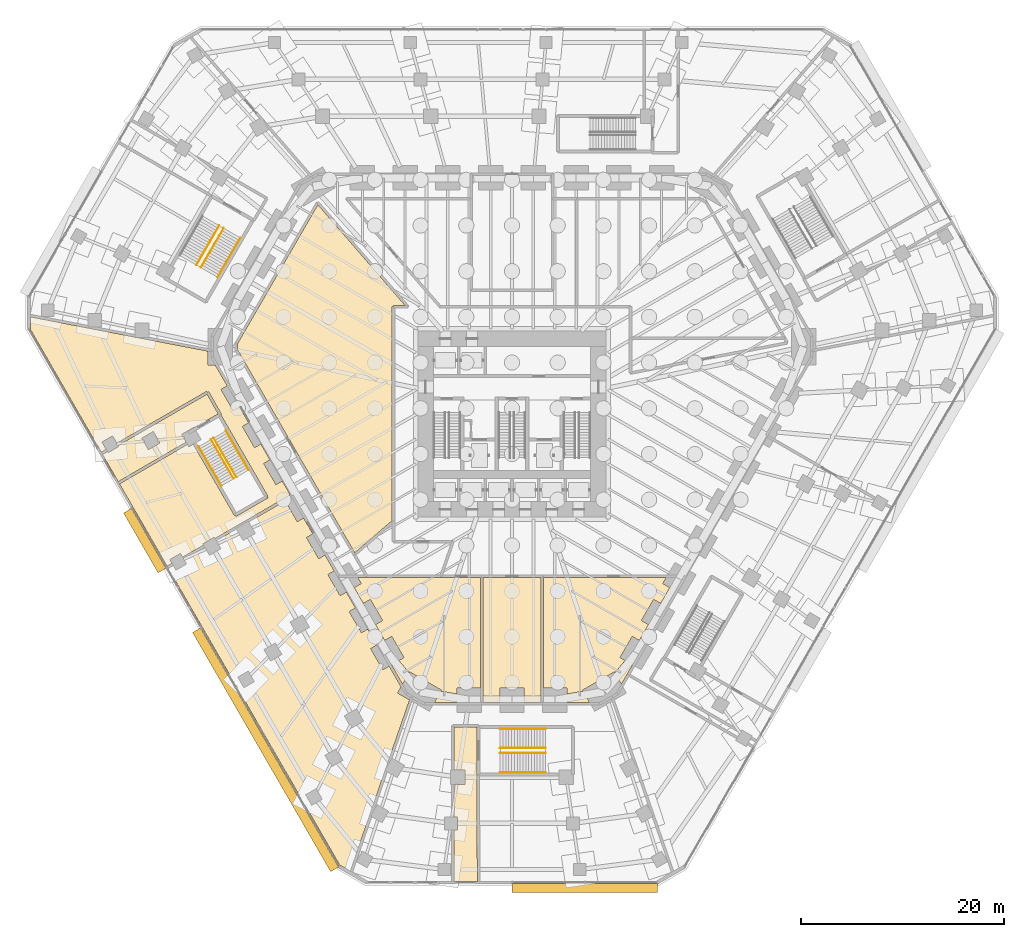
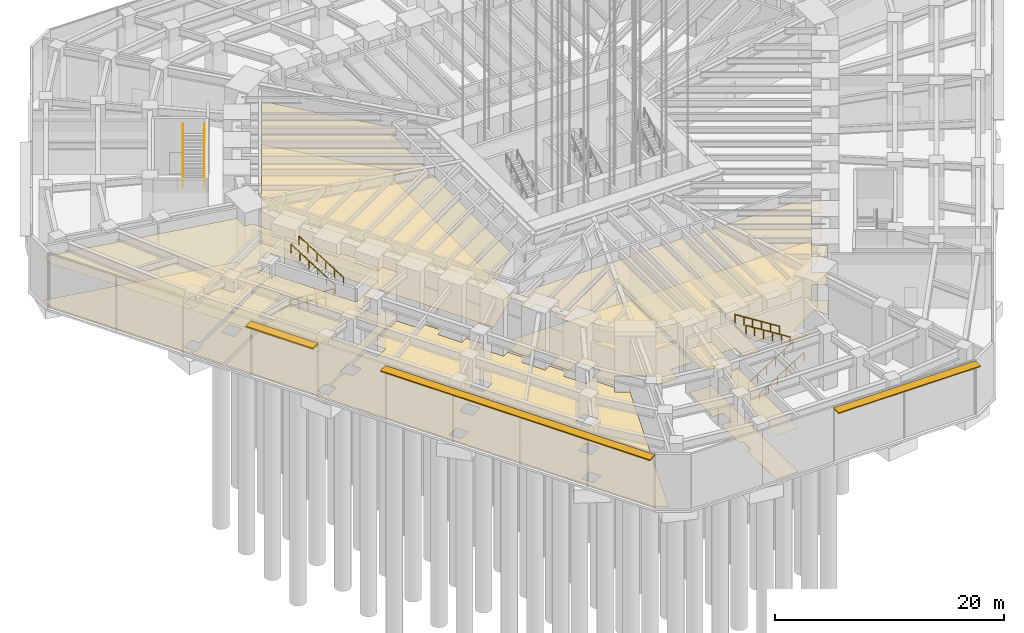
# One storey, part 25 of 34: 15 coverings, 11 railings, 3 shading devices.
"""IFC4 building model written with IfcOpenShell, lengths in metres."""

from ifc_helpers import new_model, si_unit, direction, frame, origin, origin_2d, place, context, subcontext, project, spatial, polyline, rectangle, circle, outline, extrude, material, layer, layer_set, type_object, element, save


model = new_model("IFC4")

# Units and contexts
model_context = context("Model", 3, precision=1e-05, world=origin(), true_north=direction((0.0, 1.0)))
body_context = subcontext(model_context, "Body", "Model", "MODEL_VIEW")
ifc_project = project(units=[si_unit("LENGTHUNIT", "METRE"), si_unit("AREAUNIT", "SQUARE_METRE"), si_unit("VOLUMEUNIT", "CUBIC_METRE"), si_unit("PLANEANGLEUNIT", "RADIAN"), si_unit("MASSUNIT", "GRAM", prefix="KILO")], contexts=[model_context])

# Site, building, storey
site_placement = place(None, origin())
site = spatial("IfcSite", under=ifc_project, at=site_placement, CompositionType="ELEMENT")
building_placement = place(site_placement, origin())
building = spatial("IfcBuilding", under=site, at=building_placement, Name="Sandreach Pilgrim Tower", CompositionType="ELEMENT")
storey_placement = place(building_placement, origin())
storey = spatial("IfcBuildingStorey", under=building, at=storey_placement, Name="L00", CompositionType="ELEMENT", Elevation=0.0)

# Coverings
ifc_material_1 = material(Name="Nylon carpet tile on the slab", Category="textile")
ifc_layer_1 = layer(ifc_material_1, 0.008056640625)
ifc_layer_set_1 = layer_set([ifc_layer_1], Name="Carpet tile")
covering_type_1 = type_object("IfcCoveringType", Name="Carpet tile", PredefinedType="FLOORING", material=ifc_layer_set_1)
covering_1_placement = place(storey_placement, origin())
element("IfcCovering", 1, at=covering_1_placement, inside=storey, type_object=covering_type_1, Name="Floor finish 00E5 Stair ST5 exit passageway", PredefinedType="FLOORING", context=body_context, shape_type="SweptSolid", body=[
    extrude(outline(polyline([(-3.4150390625, -46.591796875), (-5.705078125, -46.591796875), (-5.705078125, -41.525146484375), (-5.352783203125, -41.525146484375), (-5.352783203125, -40.225341796875), (-5.705078125, -40.225341796875), (-5.705078125, -37.028564453125), (-4.63525390625, -37.028564453125), (-4.63525390625, -35.628662109375), (-5.705078125, -35.628662109375), (-5.705078125, -31.365966796875), (-3.461181640625, -31.3837890625), (-3.461181640625, -36.060791015625), (-3.447021484375, -36.060791015625), (-3.4150390625, -46.591796875)])), origin(), (0.0, 0.0, 1.0), 0.008056640625),
])
covering_2_placement = place(storey_placement, origin())
element("IfcCovering", 2, at=covering_2_placement, inside=storey, type_object=covering_type_1, Name="Floor finish 00E9 Stair ST9 exit passageway", PredefinedType="FLOORING", context=body_context, shape_type="SweptSolid", body=[
    extrude(outline(polyline([(-39.7744140625, -4.35986328125), (-38.735107421875, -3.759765625), (-38.7939453125, -3.65771484375), (-30.026611328125, 1.398681640625), (-28.920654296875, -0.554931640625), (-31.301513671875, -1.885986328125), (-31.311279296875, -1.869140625), (-32.523681640625, -2.569091796875), (-32.083251953125, -3.33203125), (-38.779296875, -7.223388671875), (-40.327392578125, -4.5419921875), (-39.83349609375, -4.25732421875), (-39.7744140625, -4.35986328125)]), holes=[polyline([(-35.799072265625, -4.07080078125), (-34.673095703125, -3.420654296875), (-35.3232421875, -2.294921875), (-36.448974609375, -2.94482421875), (-35.799072265625, -4.07080078125)])]), origin(), (0.0, 0.0, 1.0), 0.008056640625),
])
covering_3_placement = place(storey_placement, origin())
element("IfcCovering", 3, at=covering_3_placement, inside=storey, type_object=covering_type_1, Name="Floor finish 00B2 Group assembly hall", PredefinedType="FLOORING", context=body_context, shape_type="SweptSolid", body=[
    extrude(outline(polyline([(-11.794921875, -11.052734375), (-15.4814453125, -14.240234375), (-27.014892578125, 5.743408203125), (-27.014892578125, 6.386474609375), (-19.11962890625, 20.055419921875), (-10.53369140625, 10.14501953125), (-11.669921875, 10.14501953125), (-11.669921875, 10.02001953125), (-11.794921875, 10.02001953125), (-11.794921875, -11.052734375)])), origin(), (0.0, 0.0, 1.0), 0.008056640625),
])
covering_4_placement = place(storey_placement, origin())
element("IfcCovering", 4, at=covering_4_placement, inside=storey, type_object=covering_type_1, Name="Floor finish 00N2 Coach departures lounge", PredefinedType="FLOORING", context=body_context, shape_type="SweptSolid", body=[
    extrude(outline(polyline([(-47.43359375, 7.78662109375), (-47.43359375, 9.0048828125), (-37.143310546875, 7.01953125), (-37.143310546875, 6.994384765625), (-37.0126953125, 6.994384765625), (-29.91259765625, 5.62451171875), (-29.91259765625, 4.26220703125), (-29.223388671875, 4.26220703125), (-28.038818359375, 2.211669921875), (-28.655517578125, 1.85546875), (-27.45556640625, -0.222900390625), (-26.838134765625, 0.133544921875), (-25.932861328125, -1.43359375), (-26.550537109375, -1.790283203125), (-25.3505859375, -3.868896484375), (-24.732177734375, -3.511962890625), (-23.826904296875, -5.0791015625), (-24.445556640625, -5.436279296875), (-23.24560546875, -7.5146484375), (-22.62646484375, -7.1572265625), (-21.830810546875, -8.5341796875), (-29.248046875, -12.8173828125), (-29.3134765625, -12.703857421875), (-30.439453125, -13.35400390625), (-30.373779296875, -13.467529296875), (-32.441162109375, -14.661376953125), (-32.650634765625, -14.298583984375), (-33.689697265625, -14.898681640625), (-33.480224609375, -15.26123046875), (-33.96533203125, -15.54150390625), (-38.654296875, -7.43994140625), (-31.958251953125, -3.548583984375), (-31.82373046875, -3.781494140625), (-31.388671875, -3.530517578125), (-27.335205078125, -10.551513671875), (-27.13037109375, -10.6064453125), (-24.09912109375, -8.8564453125), (-24.12353515625, -8.814208984375), (-24.03759765625, -8.76318359375), (-24.087158203125, -8.67626953125), (-24.044189453125, -8.6513671875), (-28.69580078125, -0.594970703125), (-28.63134765625, -0.558349609375), (-29.871337890625, 1.631591796875), (-29.97998046875, 1.570068359375), (-30.04248046875, 1.67822265625), (-38.9189453125, -3.441162109375), (-39.335205078125, -2.720703125), (-40.374267578125, -3.320556640625), (-39.95849609375, -4.040771484375), (-40.452392578125, -4.325439453125), (-47.43359375, 7.78662109375)])), origin(), (0.0, 0.0, 1.0), 0.008056640625),
])
ifc_material_2 = material(Name="Epoxy resin floor on the slab", Category="plastic")
ifc_layer_2 = layer(ifc_material_2, 0.00390625)
ifc_layer_set_2 = layer_set([ifc_layer_2], Name="Epoxy resin floor")
covering_type_2 = type_object("IfcCoveringType", Name="Epoxy resin floor", PredefinedType="FLOORING", material=ifc_layer_set_2)
covering_5_placement = place(storey_placement, origin())
element("IfcCovering", 5, at=covering_5_placement, inside=storey, type_object=covering_type_2, Name="Floor finish 0005 Luggage store", PredefinedType="FLOORING", context=body_context, shape_type="SweptSolid", body=[
    extrude(outline(polyline([(-33.848876953125, -15.762939453125), (-33.355224609375, -15.477783203125), (-33.08984375, -15.937744140625), (-32.050537109375, -15.337890625), (-32.316162109375, -14.877685546875), (-30.248779296875, -13.68408203125), (-29.789306640625, -14.479736328125), (-28.66357421875, -13.829833984375), (-29.123046875, -13.033935546875), (-27.142333984375, -11.89013671875), (-26.489013671875, -13.021728515625), (-25.2763671875, -12.321533203125), (-25.929931640625, -11.18994140625), (-22.325439453125, -9.108642578125), (-21.140625, -11.16064453125), (-20.519775390625, -10.80224609375), (-19.614013671875, -12.369140625), (-20.23583984375, -12.72802734375), (-19.03564453125, -14.806640625), (-18.412841796875, -14.44677734375), (-17.507080078125, -16.013916015625), (-18.130859375, -16.3740234375), (-16.930908203125, -18.452392578125), (-16.313232421875, -18.095947265625), (-15.407470703125, -19.662841796875), (-16.02587890625, -20.019775390625), (-14.825927734375, -22.098388671875), (-14.206298828125, -21.74072265625), (-13.300537109375, -23.3076171875), (-13.9208984375, -23.665771484375), (-12.720947265625, -25.744140625), (-12.099365234375, -25.385498046875), (-10.916259765625, -27.431884765625), (-11.26513671875, -28.0361328125), (-10.085205078125, -28.71728515625), (-12.456787109375, -35.564697265625), (-12.514404296875, -35.664306640625), (-12.4951171875, -35.67529296875), (-15.9248046875, -45.577392578125), (-16.973388671875, -44.97216796875), (-33.848876953125, -15.762939453125)]), holes=[polyline([(-15.8193359375, -31.501708984375), (-14.60693359375, -30.8017578125), (-15.306884765625, -29.58935546875), (-16.519287109375, -30.289306640625), (-15.8193359375, -31.501708984375)]), polyline([(-17.77001953125, -35.2978515625), (-16.64404296875, -34.64794921875), (-17.294189453125, -33.52197265625), (-18.419921875, -34.172119140625), (-17.77001953125, -35.2978515625)]), polyline([(-20.320556640625, -38.0546875), (-19.720703125, -39.093994140625), (-18.681396484375, -38.493896484375), (-19.281494140625, -37.45458984375), (-20.320556640625, -38.0546875)]), polyline([(-21.854248046875, -21.04931640625), (-21.154052734375, -22.26171875), (-19.941650390625, -21.561767578125), (-20.6416015625, -20.349365234375), (-21.854248046875, -21.04931640625)]), polyline([(-23.77978515625, -24.888916015625), (-22.65380859375, -24.23876953125), (-23.3037109375, -23.113037109375), (-24.4296875, -23.762939453125), (-23.77978515625, -24.888916015625)]), polyline([(-26.4052734375, -27.515869140625), (-25.365966796875, -26.915771484375), (-25.966064453125, -25.876708984375), (-27.005126953125, -26.4765625), (-26.4052734375, -27.515869140625)])]), origin(), (0.0, 0.0, 1.0), 0.00390625),
])
ifc_material_3 = material(Name="Gypsum board suspended ceiling on a steel grid", Category="steel")
ifc_layer_3 = layer(ifc_material_3, 0.012939453125)
ifc_layer_set_3 = layer_set([ifc_layer_3], Name="Gypsum board suspended ceiling")
covering_type_3 = type_object("IfcCoveringType", Name="Gypsum board suspended ceiling", PredefinedType="CEILING", material=ifc_layer_set_3)
covering_6_placement = place(storey_placement, frame((0.0, 0.0, 4.64990234375)))
element("IfcCovering", 6, at=covering_6_placement, inside=storey, type_object=covering_type_3, Name="Ceiling 00E5 Stair ST5 exit passageway", PredefinedType="CEILING", context=body_context, shape_type="SweptSolid", body=[
    extrude(outline(polyline([(-3.4150390625, -46.591796875), (-5.705078125, -46.591796875), (-5.705078125, -41.525146484375), (-5.352783203125, -41.525146484375), (-5.352783203125, -40.225341796875), (-5.705078125, -40.225341796875), (-5.705078125, -37.028564453125), (-4.63525390625, -37.028564453125), (-4.63525390625, -35.628662109375), (-5.705078125, -35.628662109375), (-5.705078125, -31.365966796875), (-3.461181640625, -31.3837890625), (-3.461181640625, -36.060791015625), (-3.447021484375, -36.060791015625), (-3.4150390625, -46.591796875)])), origin(), (0.0, 0.0, 1.0), 0.01318359375),
])
covering_7_placement = place(storey_placement, frame((0.0, 0.0, 4.64990234375)))
element("IfcCovering", 7, at=covering_7_placement, inside=storey, type_object=covering_type_3, Name="Ceiling 00E9 Stair ST9 exit passageway", PredefinedType="CEILING", context=body_context, shape_type="SweptSolid", body=[
    extrude(outline(polyline([(-39.7744140625, -4.35986328125), (-38.735107421875, -3.759765625), (-38.7939453125, -3.65771484375), (-30.026611328125, 1.398681640625), (-28.920654296875, -0.554931640625), (-31.301513671875, -1.885986328125), (-31.311279296875, -1.869140625), (-32.523681640625, -2.569091796875), (-32.083251953125, -3.33203125), (-38.779296875, -7.223388671875), (-40.327392578125, -4.5419921875), (-39.83349609375, -4.25732421875), (-39.7744140625, -4.35986328125)]), holes=[polyline([(-36.448974609375, -2.94482421875), (-35.799072265625, -4.07080078125), (-34.673095703125, -3.420654296875), (-35.3232421875, -2.294921875), (-36.448974609375, -2.94482421875)])]), origin(), (0.0, 0.0, 1.0), 0.01318359375),
])
covering_8_placement = place(storey_placement, frame((0.0, 0.0, 4.60009765625)))
element("IfcCovering", 8, at=covering_8_placement, inside=storey, type_object=covering_type_3, Name="Ceiling 00B2 Group assembly hall", PredefinedType="CEILING", context=body_context, shape_type="SweptSolid", body=[
    extrude(outline(polyline([(-11.794921875, -11.052734375), (-15.4814453125, -14.240234375), (-27.014892578125, 5.743408203125), (-27.014892578125, 6.386474609375), (-19.11962890625, 20.055419921875), (-10.53369140625, 10.14501953125), (-11.669921875, 10.14501953125), (-11.669921875, 10.02001953125), (-11.794921875, 10.02001953125), (-11.794921875, -11.052734375)])), origin(), (0.0, 0.0, 1.0), 0.012939453125),
])
covering_9_placement = place(storey_placement, frame((0.0, 0.0, 4.64990234375)))
element("IfcCovering", 9, at=covering_9_placement, inside=storey, type_object=covering_type_3, Name="Ceiling 00N2 Coach departures lounge", PredefinedType="CEILING", context=body_context, shape_type="SweptSolid", body=[
    extrude(outline(polyline([(-47.43359375, 7.78662109375), (-47.43359375, 9.0048828125), (-37.143310546875, 7.01953125), (-37.143310546875, 6.994384765625), (-37.0126953125, 6.994384765625), (-29.91259765625, 5.62451171875), (-29.91259765625, 4.26220703125), (-29.223388671875, 4.26220703125), (-28.038818359375, 2.211669921875), (-28.655517578125, 1.85546875), (-27.45556640625, -0.222900390625), (-26.838134765625, 0.133544921875), (-25.932861328125, -1.43359375), (-26.550537109375, -1.790283203125), (-25.3505859375, -3.868896484375), (-24.732177734375, -3.511962890625), (-23.826904296875, -5.0791015625), (-24.445556640625, -5.436279296875), (-23.24560546875, -7.5146484375), (-22.62646484375, -7.1572265625), (-21.830810546875, -8.5341796875), (-29.248046875, -12.8173828125), (-29.3134765625, -12.703857421875), (-30.439453125, -13.35400390625), (-30.373779296875, -13.467529296875), (-32.441162109375, -14.661376953125), (-32.650634765625, -14.298583984375), (-33.689697265625, -14.898681640625), (-33.480224609375, -15.26123046875), (-33.96533203125, -15.54150390625), (-38.654296875, -7.43994140625), (-31.958251953125, -3.548583984375), (-31.82373046875, -3.781494140625), (-31.388671875, -3.530517578125), (-27.335205078125, -10.551513671875), (-27.13037109375, -10.6064453125), (-24.09912109375, -8.8564453125), (-24.12353515625, -8.814208984375), (-24.03759765625, -8.76318359375), (-24.087158203125, -8.67626953125), (-24.044189453125, -8.6513671875), (-28.69580078125, -0.594970703125), (-28.63134765625, -0.558349609375), (-29.871337890625, 1.631591796875), (-29.97998046875, 1.570068359375), (-30.04248046875, 1.67822265625), (-38.9189453125, -3.441162109375), (-39.335205078125, -2.720703125), (-40.374267578125, -3.320556640625), (-39.95849609375, -4.040771484375), (-40.452392578125, -4.325439453125), (-47.43359375, 7.78662109375)])), origin(), (0.0, 0.0, 1.0), 0.01318359375),
])
ifc_material_4 = material(Name="Moisture-resistant gypsum board suspended ceiling on a steel grid", Category="steel")
ifc_layer_4 = layer(ifc_material_4, 0.01611328125)
ifc_layer_set_4 = layer_set([ifc_layer_4], Name="Moisture-resistant gypsum board ceiling")
covering_type_4 = type_object("IfcCoveringType", Name="Moisture-resistant gypsum board ceiling", PredefinedType="CEILING", material=ifc_layer_set_4)
covering_10_placement = place(storey_placement, frame((0.0, 0.0, 4.699951171875)))
element("IfcCovering", 10, at=covering_10_placement, inside=storey, type_object=covering_type_4, Name="Ceiling 00T1 Women's toilets 00", PredefinedType="CEILING", context=body_context, shape_type="SweptSolid", body=[
    extrude(outline(polyline([(-15.203125, -16.64501953125), (-3.125, -16.64501953125), (-3.125, -27.55078125), (-5.42236328125, -27.55078125), (-5.42236328125, -28.135009765625), (-7.00537109375, -27.858154296875), (-6.947509765625, -27.7578125), (-10.065185546875, -25.957763671875), (-10.12353515625, -26.05908203125), (-11.147705078125, -24.8359375), (-10.642333984375, -24.544189453125), (-11.842529296875, -22.4658203125), (-12.53515625, -22.86572265625), (-13.440185546875, -21.29833984375), (-12.747314453125, -20.8984375), (-13.947265625, -18.81982421875), (-14.64013671875, -19.219970703125), (-15.545166015625, -17.65234375), (-14.852294921875, -17.25244140625), (-15.203125, -16.64501953125)])), origin(), (0.0, 0.0, 1.0), 0.01611328125),
])
covering_11_placement = place(storey_placement, frame((0.0, 0.0, 4.800048828125)))
element("IfcCovering", 11, at=covering_11_placement, inside=storey, type_object=covering_type_4, Name="Ceiling 00T2 Accessible toilets 00", PredefinedType="CEILING", context=body_context, shape_type="SweptSolid", body=[
    extrude(outline(polyline([(2.875, -28.350830078125), (1.199951171875, -28.350830078125), (1.199951171875, -27.55078125), (-1.199951171875, -27.55078125), (-1.199951171875, -28.350830078125), (-2.875, -28.350830078125), (-2.875, -16.64501953125), (2.875, -16.64501953125), (2.875, -28.350830078125)])), origin(), (0.0, 0.0, 1.0), 0.015869140625),
])
covering_12_placement = place(storey_placement, frame((0.0, 0.0, 4.699951171875)))
element("IfcCovering", 12, at=covering_12_placement, inside=storey, type_object=covering_type_4, Name="Ceiling 00T3 Men's toilets 00", PredefinedType="CEILING", context=body_context, shape_type="SweptSolid", body=[
    extrude(outline(polyline([(3.125, -16.64501953125), (15.203125, -16.64501953125), (14.852294921875, -17.25244140625), (15.545166015625, -17.65234375), (14.64013671875, -19.219970703125), (13.947265625, -18.81982421875), (12.747314453125, -20.8984375), (13.440185546875, -21.29833984375), (12.53515625, -22.86572265625), (11.842529296875, -22.4658203125), (10.642333984375, -24.544189453125), (11.147705078125, -24.8359375), (10.12353515625, -26.05908203125), (10.065185546875, -25.957763671875), (6.947509765625, -27.7578125), (7.00537109375, -27.858154296875), (5.42236328125, -28.135009765625), (5.42236328125, -27.55078125), (3.125, -27.55078125), (3.125, -16.64501953125)])), origin(), (0.0, 0.0, 1.0), 0.01611328125),
])

# Shading devices
ifc_material_5 = material(Name="Extruded aluminium sunshade blade, powder coated", Category="aluminium")
ifc_layer_5 = layer(ifc_material_5, 0.10009765625)
ifc_layer_set_5 = layer_set([ifc_layer_5], Name="Podium sunshade 900")
shading_device_type = type_object("IfcShadingDeviceType", Name="Podium sunshade 900", PredefinedType="AWNING", material=ifc_layer_set_5)
shading_device_1_placement = place(storey_placement, frame((7.156005859375, -47.23193359375, 5.64990234375), z_axis=(0.0, 0.0, 1.0), x_axis=(-1.0, 0.0, 0.0)))
element("IfcShadingDevice", 13, at=shading_device_1_placement, inside=storey, type_object=shading_device_type, Name="Sunshade L00 S over SA", PredefinedType="AWNING", context=body_context, shape_type="SweptSolid", body=[
    extrude(rectangle(XDim=14.31201171875, YDim=0.89990234375, at=origin_2d()), origin(), (0.0, 0.0, 1.0), 0.10009765625),
])
shading_device_2_placement = place(storey_placement, frame((-24.27001953125, -33.634033203125, 5.64990234375), z_axis=(0.0, 0.0, 1.0), x_axis=(-0.500000000015, 0.866025403776, 0.0)))
element("IfcShadingDevice", 14, at=shading_device_2_placement, inside=storey, type_object=shading_device_type, Name="Sunshade L00 SW over SWA", PredefinedType="AWNING", context=body_context, shape_type="SweptSolid", body=[
    extrude(rectangle(XDim=27.1884765625, YDim=0.89990234375, at=origin_2d()), origin(), (0.0, 0.0, 1.0), 0.10009765625),
])
shading_device_3_placement = place(storey_placement, frame((-36.1650390625, -13.03125, 5.64990234375), z_axis=(0.0, 0.0, 1.0), x_axis=(-0.5, 0.866025403784, 0.0)))
element("IfcShadingDevice", 15, at=shading_device_3_placement, inside=storey, type_object=shading_device_type, Name="Sunshade L00 SW over SWB", PredefinedType="AWNING", context=body_context, shape_type="SweptSolid", body=[
    extrude(rectangle(XDim=6.797119140625, YDim=0.89990234375, at=origin_2d()), origin(), (0.0, 0.0, 1.0), 0.10009765625),
])

# Coverings
ifc_material_6 = material(Name="Porcelain tile on an adhesive bed", Category="ceramic")
ifc_layer_6 = layer(ifc_material_6, 0.011962890625)
ifc_layer_set_6 = layer_set([ifc_layer_6], Name="Porcelain tile")
covering_type_5 = type_object("IfcCoveringType", Name="Porcelain tile", PredefinedType="FLOORING", material=ifc_layer_set_6)
covering_13_placement = place(storey_placement, origin())
element("IfcCovering", 16, at=covering_13_placement, inside=storey, type_object=covering_type_5, Name="Floor finish 00T1 Women's toilets 00", PredefinedType="FLOORING", context=body_context, shape_type="SweptSolid", body=[
    extrude(outline(polyline([(-15.203125, -16.64501953125), (-3.125, -16.64501953125), (-3.125, -27.55078125), (-5.42236328125, -27.55078125), (-5.42236328125, -28.985107421875), (-7.656005859375, -28.985107421875), (-6.947509765625, -27.7578125), (-10.065185546875, -25.957763671875), (-10.77197265625, -27.18212890625), (-11.8828125, -25.260498046875), (-10.642333984375, -24.544189453125), (-11.842529296875, -22.4658203125), (-13.083984375, -23.1826171875), (-13.989990234375, -21.61572265625), (-12.747314453125, -20.8984375), (-13.947265625, -18.81982421875), (-15.19091796875, -19.537841796875), (-16.096923828125, -17.970947265625), (-14.852294921875, -17.25244140625), (-15.203125, -16.64501953125)])), origin(), (0.0, 0.0, 1.0), 0.011962890625),
])
covering_14_placement = place(storey_placement, origin())
element("IfcCovering", 17, at=covering_14_placement, inside=storey, type_object=covering_type_5, Name="Floor finish 00T2 Accessible toilets 00", PredefinedType="FLOORING", context=body_context, shape_type="SweptSolid", body=[
    extrude(outline(polyline([(2.875, -28.985107421875), (1.199951171875, -28.985107421875), (1.199951171875, -27.55078125), (-1.199951171875, -27.55078125), (-1.199951171875, -28.985107421875), (-2.875, -28.985107421875), (-2.875, -16.64501953125), (2.875, -16.64501953125), (2.875, -28.985107421875)])), origin(), (0.0, 0.0, 1.0), 0.011962890625),
])
covering_15_placement = place(storey_placement, origin())
element("IfcCovering", 18, at=covering_15_placement, inside=storey, type_object=covering_type_5, Name="Floor finish 00T3 Men's toilets 00", PredefinedType="FLOORING", context=body_context, shape_type="SweptSolid", body=[
    extrude(outline(polyline([(3.125, -16.64501953125), (15.203125, -16.64501953125), (14.852294921875, -17.25244140625), (16.0966796875, -17.970947265625), (15.190673828125, -19.537841796875), (13.947265625, -18.81982421875), (12.747314453125, -20.8984375), (13.989501953125, -21.615478515625), (13.08349609375, -23.182373046875), (11.842529296875, -22.4658203125), (10.642333984375, -24.544189453125), (11.88232421875, -25.260009765625), (10.771728515625, -27.181640625), (10.065185546875, -25.957763671875), (6.947509765625, -27.7578125), (7.656005859375, -28.985107421875), (5.42236328125, -28.985107421875), (5.42236328125, -27.55078125), (3.125, -27.55078125), (3.125, -16.64501953125)])), origin(), (0.0, 0.0, 1.0), 0.011962890625),
])

# Railings
ifc_material_7 = material(Name="Stainless steel tube", Category="steel")
railing_type = type_object("IfcRailingType", Name="Stair handrail", PredefinedType="HANDRAIL", material=ifc_material_7)
for number, where, name in (
    (19, (-1.1611328125, -33.9609375, 0.176513671875), "Handrail ST5 L00 flight 1"),
    (20, (-1.1611328125, -35.86083984375, 0.176513671875), "Handrail ST5 L00 flight 1"),
):
    element("IfcRailing", number, at=place(storey_placement, frame(where)), inside=storey, type_object=railing_type, Name=name, PredefinedType="HANDRAIL", context=body_context, shape_type="SweptSolid", body=[
        extrude(circle(Radius=0.02392578125, at=origin_2d()), frame((0.0, 0.0, 0.8759765625), z_axis=(0.845997938375, 0.0, 0.533186166611), x_axis=(0.0, 1.0, 0.0)), (0.0, 0.0, 1.0), 5.29541015625),
        extrude(circle(Radius=0.02099609375, at=origin_2d()), origin(), (0.0, 0.0, 1.0), 0.851806640625),
        extrude(circle(Radius=0.02099609375, at=origin_2d()), frame((0.89599609375, 0.0, 0.564697265625)), (0.0, 0.0, 1.0), 0.851806640625),
        extrude(circle(Radius=0.02099609375, at=origin_2d()), frame((1.7919921875, 0.0, 1.12939453125)), (0.0, 0.0, 1.0), 0.851806640625),
        extrude(circle(Radius=0.02099609375, at=origin_2d()), frame((2.68798828125, 0.0, 1.694091796875)), (0.0, 0.0, 1.0), 0.851806640625),
        extrude(circle(Radius=0.02099609375, at=origin_2d()), frame((3.583984375, 0.0, 2.2587890625)), (0.0, 0.0, 1.0), 0.851806640625),
        extrude(circle(Radius=0.02099609375, at=origin_2d()), frame((4.47998046875, 0.0, 2.823486328125)), (0.0, 0.0, 1.0), 0.851806640625),
    ])
for number, where, name in (
    (21, (3.31884765625, -33.4609375, 3.176513671875), "Handrail ST5 L00 flight 2"),
    (22, (3.31884765625, -31.560791015625, 3.176513671875), "Handrail ST5 L00 flight 2"),
):
    element("IfcRailing", number, at=place(storey_placement, frame(where)), inside=storey, type_object=railing_type, Name=name, PredefinedType="HANDRAIL", context=body_context, shape_type="SweptSolid", body=[
        extrude(circle(Radius=0.02392578125, at=origin_2d()), frame((0.0, 0.0, 0.8759765625), z_axis=(-0.845997938375, 0.0, 0.533186166611), x_axis=(0.0, -1.0, 0.0)), (0.0, 0.0, 1.0), 5.29541015625),
        extrude(circle(Radius=0.02099609375, at=origin_2d()), origin(), (0.0, 0.0, 1.0), 0.851806640625),
        extrude(circle(Radius=0.02099609375, at=origin_2d()), frame((-0.89599609375, 0.0, 0.564697265625)), (0.0, 0.0, 1.0), 0.851806640625),
        extrude(circle(Radius=0.02099609375, at=origin_2d()), frame((-1.7919921875, 0.0, 1.12939453125)), (0.0, 0.0, 1.0), 0.851806640625),
        extrude(circle(Radius=0.02099609375, at=origin_2d()), frame((-2.68798828125, 0.0, 1.694091796875)), (0.0, 0.0, 1.0), 0.851806640625),
        extrude(circle(Radius=0.02099609375, at=origin_2d()), frame((-3.583984375, 0.0, 2.2587890625)), (0.0, 0.0, 1.0), 0.851806640625),
        extrude(circle(Radius=0.02099609375, at=origin_2d()), frame((-4.47998046875, 0.0, 2.823486328125)), (0.0, 0.0, 1.0), 0.851806640625),
    ])
railing_1_placement = place(storey_placement, frame((-28.830322265625, 17.986083984375, 0.176513671875)))
element("IfcRailing", 23, at=railing_1_placement, inside=storey, type_object=railing_type, Name="Handrail ST6 L00 flight 1", PredefinedType="HANDRAIL", context=body_context, shape_type="SweptSolid", body=[
    extrude(circle(Radius=0.02392578125, at=origin_2d()), frame((0.0, 0.0, 0.8759765625), z_axis=(-0.42299277051, -0.732664971003, 0.533178353237), x_axis=(0.866031314237, -0.499989762656, 0.0)), (0.0, 0.0, 1.0), 5.295654296875),
    extrude(circle(Radius=0.02099609375, at=origin_2d()), origin(), (0.0, 0.0, 1.0), 0.851806640625),
    extrude(circle(Radius=0.02099609375, at=origin_2d()), frame((-0.447998046875, -0.77587890625, 0.564697265625)), (0.0, 0.0, 1.0), 0.851806640625),
    extrude(circle(Radius=0.02099609375, at=origin_2d()), frame((-0.89599609375, -1.552001953125, 1.12939453125)), (0.0, 0.0, 1.0), 0.851806640625),
    extrude(circle(Radius=0.02099609375, at=origin_2d()), frame((-1.343994140625, -2.327880859375, 1.694091796875)), (0.0, 0.0, 1.0), 0.851806640625),
    extrude(circle(Radius=0.02099609375, at=origin_2d()), frame((-1.7919921875, -3.10400390625, 2.2587890625)), (0.0, 0.0, 1.0), 0.851806640625),
    extrude(circle(Radius=0.02099609375, at=origin_2d()), frame((-2.239990234375, -3.8798828125, 2.823486328125)), (0.0, 0.0, 1.0), 0.851806640625),
])
for number, where, name in (
    (24, (-30.637451171875, 13.856201171875, 3.176513671875), "Handrail ST6 L00 flight 2"),
    (25, (-28.991943359375, 12.90625, 3.176513671875), "Handrail ST6 L00 flight 2"),
):
    element("IfcRailing", number, at=place(storey_placement, frame(where)), inside=storey, type_object=railing_type, Name=name, PredefinedType="HANDRAIL", context=body_context, shape_type="SweptSolid", body=[
        extrude(circle(Radius=0.02392578125, at=origin_2d()), frame((0.0, 0.0, 0.8759765625), z_axis=(0.42299277051, 0.732664971003, 0.533178353237), x_axis=(-0.866031314237, 0.499989762656, 0.0)), (0.0, 0.0, 1.0), 5.295654296875),
        extrude(circle(Radius=0.02099609375, at=origin_2d()), origin(), (0.0, 0.0, 1.0), 0.851806640625),
        extrude(circle(Radius=0.02099609375, at=origin_2d()), frame((0.447998046875, 0.77587890625, 0.564697265625)), (0.0, 0.0, 1.0), 0.851806640625),
        extrude(circle(Radius=0.02099609375, at=origin_2d()), frame((0.89599609375, 1.552001953125, 1.12939453125)), (0.0, 0.0, 1.0), 0.851806640625),
        extrude(circle(Radius=0.02099609375, at=origin_2d()), frame((1.343994140625, 2.327880859375, 1.694091796875)), (0.0, 0.0, 1.0), 0.851806640625),
        extrude(circle(Radius=0.02099609375, at=origin_2d()), frame((1.7919921875, 3.10400390625, 2.2587890625)), (0.0, 0.0, 1.0), 0.851806640625),
        extrude(circle(Radius=0.02099609375, at=origin_2d()), frame((2.239990234375, 3.8798828125, 2.823486328125)), (0.0, 0.0, 1.0), 0.851806640625),
    ])
railing_2_placement = place(storey_placement, frame((-29.64453125, -3.05126953125, 0.176513671875)))
element("IfcRailing", 26, at=railing_2_placement, inside=storey, type_object=railing_type, Name="Handrail ST9 L00 flight 1", PredefinedType="HANDRAIL", context=body_context, shape_type="SweptSolid", body=[
    extrude(circle(Radius=0.02392578125, at=origin_2d()), frame((0.0, 0.0, 0.8759765625), z_axis=(0.42299277051, -0.732664971003, 0.533178353237), x_axis=(0.866031314237, 0.499989762656, 0.0)), (0.0, 0.0, 1.0), 5.295654296875),
    extrude(circle(Radius=0.02099609375, at=origin_2d()), origin(), (0.0, 0.0, 1.0), 0.851806640625),
    extrude(circle(Radius=0.02099609375, at=origin_2d()), frame((0.447998046875, -0.77587890625, 0.564697265625)), (0.0, 0.0, 1.0), 0.851806640625),
    extrude(circle(Radius=0.02099609375, at=origin_2d()), frame((0.89599609375, -1.552001953125, 1.12939453125)), (0.0, 0.0, 1.0), 0.851806640625),
    extrude(circle(Radius=0.02099609375, at=origin_2d()), frame((1.343994140625, -2.327880859375, 1.694091796875)), (0.0, 0.0, 1.0), 0.851806640625),
    extrude(circle(Radius=0.02099609375, at=origin_2d()), frame((1.7919921875, -3.10400390625, 2.2587890625)), (0.0, 0.0, 1.0), 0.851806640625),
    extrude(circle(Radius=0.02099609375, at=origin_2d()), frame((2.239990234375, -3.8798828125, 2.823486328125)), (0.0, 0.0, 1.0), 0.851806640625),
])
railing_3_placement = place(storey_placement, frame((-30.857177734375, -3.75146484375, 0.176513671875)))
element("IfcRailing", 27, at=railing_3_placement, inside=storey, type_object=railing_type, Name="Handrail ST9 L00 flight 1", PredefinedType="HANDRAIL", context=body_context, shape_type="SweptSolid", body=[
    extrude(circle(Radius=0.02392578125, at=origin_2d()), frame((0.0, 0.0, 0.8759765625), z_axis=(0.423007058581, -0.732643615031, 0.533196363214), x_axis=(0.866017690131, 0.500013360201, 0.0)), (0.0, 0.0, 1.0), 5.29541015625),
    extrude(circle(Radius=0.02099609375, at=origin_2d()), origin(), (0.0, 0.0, 1.0), 0.851806640625),
    extrude(circle(Radius=0.02099609375, at=origin_2d()), frame((0.447998046875, -0.77587890625, 0.564697265625)), (0.0, 0.0, 1.0), 0.851806640625),
    extrude(circle(Radius=0.02099609375, at=origin_2d()), frame((0.89599609375, -1.5517578125, 1.12939453125)), (0.0, 0.0, 1.0), 0.851806640625),
    extrude(circle(Radius=0.02099609375, at=origin_2d()), frame((1.343994140625, -2.327880859375, 1.694091796875)), (0.0, 0.0, 1.0), 0.851806640625),
    extrude(circle(Radius=0.02099609375, at=origin_2d()), frame((1.7919921875, -3.103759765625, 2.2587890625)), (0.0, 0.0, 1.0), 0.851806640625),
    extrude(circle(Radius=0.02099609375, at=origin_2d()), frame((2.239990234375, -3.879638671875, 2.823486328125)), (0.0, 0.0, 1.0), 0.851806640625),
])
railing_4_placement = place(storey_placement, frame((-27.144775390625, -6.78125, 3.176513671875)))
element("IfcRailing", 28, at=railing_4_placement, inside=storey, type_object=railing_type, Name="Handrail ST9 L00 flight 2", PredefinedType="HANDRAIL", context=body_context, shape_type="SweptSolid", body=[
    extrude(circle(Radius=0.02392578125, at=origin_2d()), frame((0.0, 0.0, 0.8759765625), z_axis=(-0.42299277051, 0.732664971003, 0.533178353237), x_axis=(-0.866031314237, -0.499989762656, 0.0)), (0.0, 0.0, 1.0), 5.295654296875),
    extrude(circle(Radius=0.02099609375, at=origin_2d()), origin(), (0.0, 0.0, 1.0), 0.851806640625),
    extrude(circle(Radius=0.02099609375, at=origin_2d()), frame((-0.447998046875, 0.77587890625, 0.564697265625)), (0.0, 0.0, 1.0), 0.851806640625),
    extrude(circle(Radius=0.02099609375, at=origin_2d()), frame((-0.89599609375, 1.552001953125, 1.12939453125)), (0.0, 0.0, 1.0), 0.851806640625),
    extrude(circle(Radius=0.02099609375, at=origin_2d()), frame((-1.343994140625, 2.327880859375, 1.694091796875)), (0.0, 0.0, 1.0), 0.851806640625),
    extrude(circle(Radius=0.02099609375, at=origin_2d()), frame((-1.7919921875, 3.10400390625, 2.2587890625)), (0.0, 0.0, 1.0), 0.851806640625),
    extrude(circle(Radius=0.02099609375, at=origin_2d()), frame((-2.239990234375, 3.8798828125, 2.823486328125)), (0.0, 0.0, 1.0), 0.851806640625),
])
railing_5_placement = place(storey_placement, frame((-25.932373046875, -6.0810546875, 3.176513671875)))
element("IfcRailing", 29, at=railing_5_placement, inside=storey, type_object=railing_type, Name="Handrail ST9 L00 flight 2", PredefinedType="HANDRAIL", context=body_context, shape_type="SweptSolid", body=[
    extrude(circle(Radius=0.02392578125, at=origin_2d()), frame((0.0, 0.0, 0.8759765625), z_axis=(-0.423007058581, 0.732643615031, 0.533196363214), x_axis=(-0.866017690131, -0.500013360201, 0.0)), (0.0, 0.0, 1.0), 5.29541015625),
    extrude(circle(Radius=0.02099609375, at=origin_2d()), origin(), (0.0, 0.0, 1.0), 0.851806640625),
    extrude(circle(Radius=0.02099609375, at=origin_2d()), frame((-0.447998046875, 0.77587890625, 0.564697265625)), (0.0, 0.0, 1.0), 0.851806640625),
    extrude(circle(Radius=0.02099609375, at=origin_2d()), frame((-0.89599609375, 1.5517578125, 1.12939453125)), (0.0, 0.0, 1.0), 0.851806640625),
    extrude(circle(Radius=0.02099609375, at=origin_2d()), frame((-1.343994140625, 2.327880859375, 1.694091796875)), (0.0, 0.0, 1.0), 0.851806640625),
    extrude(circle(Radius=0.02099609375, at=origin_2d()), frame((-1.7919921875, 3.103759765625, 2.2587890625)), (0.0, 0.0, 1.0), 0.851806640625),
    extrude(circle(Radius=0.02099609375, at=origin_2d()), frame((-2.239990234375, 3.879638671875, 2.823486328125)), (0.0, 0.0, 1.0), 0.851806640625),
])

save(model, "model.ifc")
